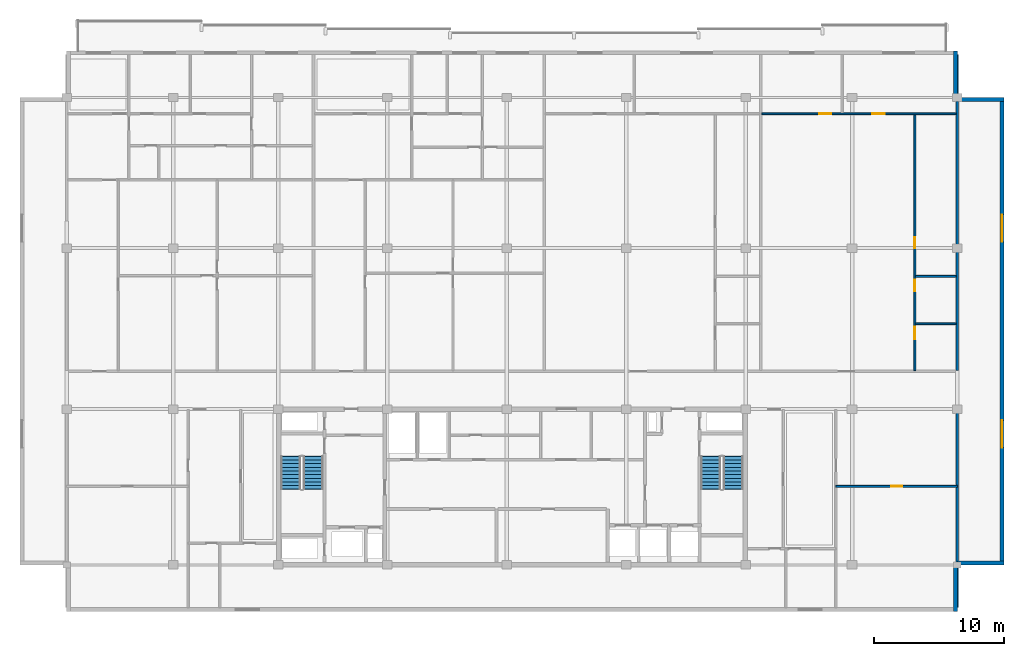
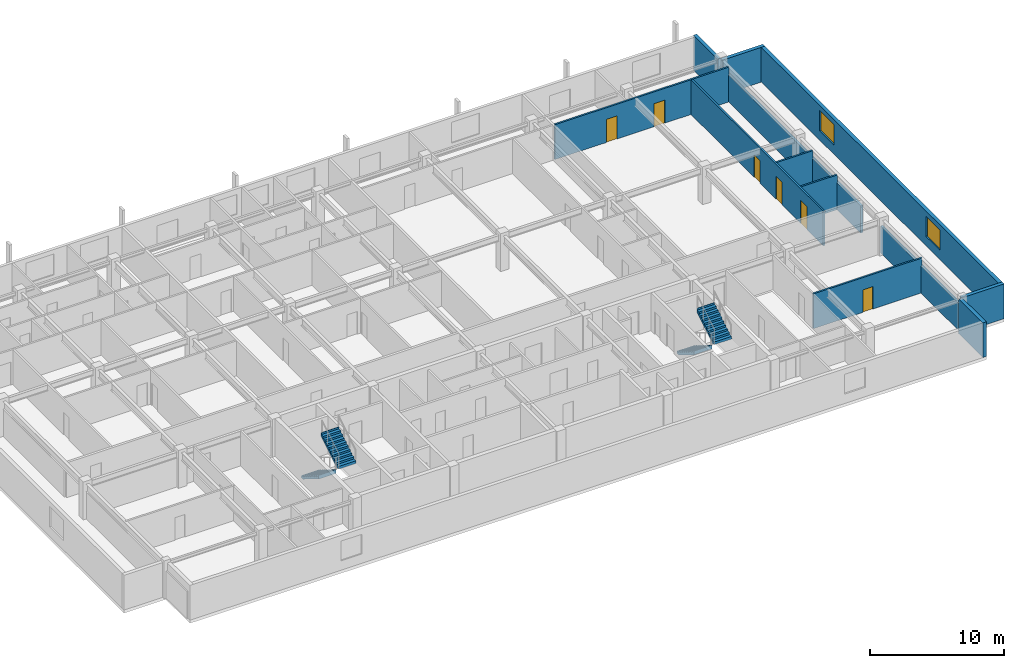
# One storey, part 9 of 11: 12 walls, 6 doors, 4 stair flights, 2 windows, 8 openings, 2 elements without a shape of their own.
"""IFC4 building model written with IfcOpenShell, lengths in metres."""

from ifc_helpers import new_model, si_unit, direction, frame, frame_2d, origin, place, context, subcontext, project, spatial, polyline, rectangle, outline, extrude, material, layer, layer_set, type_object, element, fill, aggregate, save


model = new_model("IFC4")

# Units and contexts
model_context = context("Model", 3, precision=1e-05, world=origin(), true_north=direction((0.0, 1.0)))
body_context = subcontext(model_context, "Body", "Model", "MODEL_VIEW")
ifc_project = project(units=[si_unit("LENGTHUNIT", "METRE"), si_unit("AREAUNIT", "SQUARE_METRE"), si_unit("VOLUMEUNIT", "CUBIC_METRE"), si_unit("PLANEANGLEUNIT", "RADIAN"), si_unit("MASSUNIT", "GRAM", prefix="KILO")], contexts=[model_context])

# Site, building, storey
site_placement = place(None, origin())
site = spatial("IfcSite", under=ifc_project, at=site_placement, CompositionType="ELEMENT")
building_placement = place(site_placement, origin())
building = spatial("IfcBuilding", under=site, at=building_placement, Name="Korimba Cascade Residences", CompositionType="ELEMENT")
storey_placement = place(building_placement, frame((0.0, 0.0, 256.25)))
storey = spatial("IfcBuildingStorey", under=building, at=storey_placement, Name="L74", CompositionType="ELEMENT", Elevation=256.25)

# Walls
ifc_material_1 = material(Name="Precast concrete C40/50", Category="concrete")
ifc_layer_1 = layer(ifc_material_1, 0.300048828125)
ifc_layer_set_1 = layer_set([ifc_layer_1], Name="Precast concrete C40/50")
wall_type_1 = type_object("IfcWallType", Name="EW-STONE-300", PredefinedType="STANDARD", material=ifc_layer_set_1)
wall_1_placement = place(storey_placement, frame((128.25, 51.60009765625, 0.0), z_axis=(0.0, 0.0, 1.0), x_axis=(0.0, 1.0, 0.0)))
element("IfcWall", 1, at=wall_1_placement, inside=storey, type_object=wall_type_1, Name="L74 T1 Perimeter Stone Wall E01", PredefinedType="STANDARD", context=body_context, shape_type="SweptSolid", body=[
    extrude(rectangle(XDim=3.599853515625, YDim=0.300048828125, at=frame_2d((1.7998046875, 0.0))), origin(), (0.0, 0.0, 1.0), 3.169921875),
])
wall_2_placement = place(storey_placement, frame((128.39990234375, 55.35009765625, 0.0), z_axis=(0.0, 0.0, 1.0), x_axis=(1.0, 0.0, 0.0)))
element("IfcWall", 2, at=wall_2_placement, inside=storey, type_object=wall_type_1, Name="L74 T1 Perimeter Stone Wall E02", PredefinedType="STANDARD", context=body_context, shape_type="SweptSolid", body=[
    extrude(rectangle(XDim=3.60009765625, YDim=0.300048828125, at=frame_2d((1.800048828125, 0.0))), origin(), (0.0, 0.0, 1.0), 3.169921875),
])

# Wall, openings, windows
wall_3_placement = place(storey_placement, frame((131.85009765625, 55.199951171875, 0.0), z_axis=(0.0, 0.0, 1.0), x_axis=(0.0, 1.0, 0.0)))
wall_3 = element("IfcWall", 3, at=wall_3_placement, inside=storey, type_object=wall_type_1, Name="L74 T1 Perimeter Stone Wall E03", PredefinedType="STANDARD", context=body_context, shape_type="SweptSolid", body=[
    extrude(rectangle(XDim=36.0, YDim=0.300048828125, at=frame_2d((18.0, 0.0))), origin(), (0.0, 0.0, 1.0), 3.169921875),
])
opening_1_placement = place(wall_3_placement, frame((9.030029296875, 0.0, 0.85009765625)))
opening_1 = element("IfcOpeningElement", 4, at=opening_1_placement, cuts=wall_3, Name="Opening W-03", PredefinedType="OPENING", context=body_context, shape_type="SweptSolid", body=[
    extrude(rectangle(XDim=2.10009765625, YDim=1.85009765625, at=frame_2d((1.050048828125, 0.925048828125))), frame((0.0, 0.16015625, 0.0), z_axis=(0.0, -1.0, 0.0), x_axis=(1.0, 0.0, 0.0)), (0.0, 0.0, 1.0), 0.320068359375),
])
opening_2_placement = place(wall_3_placement, frame((24.8701171875, 0.0, 0.85009765625)))
opening_2 = element("IfcOpeningElement", 5, at=opening_2_placement, cuts=wall_3, Name="Opening W-03", PredefinedType="OPENING", context=body_context, shape_type="SweptSolid", body=[
    extrude(rectangle(XDim=2.10009765625, YDim=1.85009765625, at=frame_2d((1.050048828125, 0.925048828125))), frame((0.0, 0.16015625, 0.0), z_axis=(0.0, -1.0, 0.0), x_axis=(1.0, 0.0, 0.0)), (0.0, 0.0, 1.0), 0.320068359375),
])
ifc_material_2 = material(Name="Double-Glazed Aluminium Window", Category="aluminium")
window_type = type_object("IfcWindowType", Name="WIN-CRN-2100", PartitioningType="DOUBLE_PANEL_HORIZONTAL", PredefinedType="WINDOW", material=ifc_material_2)
window_1_placement = place(opening_1_placement, origin())
window_1 = element("IfcWindow", 6, at=window_1_placement, inside=storey, type_object=window_type, Name="L74 T1 End View Window 3.1", OverallHeight=1.85009765625, OverallWidth=2.10009765625, PartitioningType="DOUBLE_PANEL_HORIZONTAL", PredefinedType="WINDOW", context=body_context, shape_type="SweptSolid", body=[
    extrude(rectangle(XDim=2.10009765625, YDim=1.85009765625, at=frame_2d((1.050048828125, 0.925048828125))), frame((0.0, 0.030029296875, 0.0), z_axis=(0.0, -1.0, 0.0), x_axis=(1.0, 0.0, 0.0)), (0.0, 0.0, 1.0), 0.06005859375),
])
fill(opening_1, window_1)
window_2_placement = place(opening_2_placement, origin())
window_2 = element("IfcWindow", 7, at=window_2_placement, inside=storey, type_object=window_type, Name="L74 T1 End View Window 3.2", OverallHeight=1.85009765625, OverallWidth=2.10009765625, PartitioningType="DOUBLE_PANEL_HORIZONTAL", PredefinedType="WINDOW", context=body_context, shape_type="SweptSolid", body=[
    extrude(rectangle(XDim=2.10009765625, YDim=1.85009765625, at=frame_2d((1.050048828125, 0.925048828125))), frame((0.0, 0.030029296875, 0.0), z_axis=(0.0, -1.0, 0.0), x_axis=(1.0, 0.0, 0.0)), (0.0, 0.0, 1.0), 0.06005859375),
])
fill(opening_2, window_2)

# Walls
for number, where, z_axis, x_axis, name in (
    (8, (132.0, 91.050048828125, 0.0), (0.0, 0.0, 1.0), (-1.0, 0.0, 0.0), "L74 T1 Perimeter Stone Wall E04"),
    (9, (128.25, 91.199951171875, 0.0), (0.0, 0.0, 1.0), (0.0, 1.0, 0.0), "L74 T1 Perimeter Stone Wall E05"),
):
    element("IfcWall", number, at=place(storey_placement, frame(where, z_axis=z_axis, x_axis=x_axis)), inside=storey, type_object=wall_type_1, Name=name, PredefinedType="STANDARD", context=body_context, shape_type="SweptSolid", body=[
        extrude(rectangle(XDim=3.60009765625, YDim=0.300048828125, at=frame_2d((1.800048828125, 0.0))), origin(), (0.0, 0.0, 1.0), 3.169921875),
    ])
ifc_layer_2 = layer(ifc_material_1, 0.199951171875)
ifc_layer_set_2 = layer_set([ifc_layer_2], Name="Precast concrete C40/50")
wall_type_2 = type_object("IfcWallType", Name="WAL-IT-200", PredefinedType="PARTITIONING", material=ifc_layer_set_2)
wall_4_placement = place(storey_placement, frame((128.39990234375, 51.89990234375, 0.0), z_axis=(0.0, 0.0, 1.0), x_axis=(0.0, 1.0, 0.0)))
element("IfcWall", 10, at=wall_4_placement, inside=storey, type_object=wall_type_2, Name="L74 Partition Wall WAL-L74-T1-FE-WR", PredefinedType="PARTITIONING", context=body_context, shape_type="SweptSolid", body=[
    extrude(rectangle(XDim=15.300048828125, YDim=0.199951171875, at=frame_2d((7.64990234375, 0.0))), origin(), (0.0, 0.0, 1.0), 2.47705078125),
])
wall_5_placement = place(storey_placement, frame((128.39990234375, 70.179931640625, 0.0), z_axis=(0.0, 0.0, 1.0), x_axis=(0.0, 1.0, 0.0)))
element("IfcWall", 11, at=wall_5_placement, inside=storey, type_object=wall_type_2, Name="L74 Partition Wall WAL-L74-T1-BNDWR", PredefinedType="PARTITIONING", context=body_context, shape_type="SweptSolid", body=[
    extrude(rectangle(XDim=24.320068359375, YDim=0.199951171875, at=frame_2d((12.16015625, 0.0))), origin(), (0.0, 0.0, 1.0), 2.47705078125),
])

# Wall, opening, door
ifc_material_3 = material(Name="Insulated Acoustic Stud Partition", Category="gypsum")
ifc_layer_3 = layer(ifc_material_3, 0.14990234375)
ifc_layer_set_3 = layer_set([ifc_layer_3], Name="Insulated Acoustic Stud Partition")
wall_type_3 = type_object("IfcWallType", Name="WAL-PART-150", PredefinedType="PARTITIONING", material=ifc_layer_set_3)
wall_6_placement = place(storey_placement, frame((119.050048828125, 61.25, 0.0), z_axis=(0.0, 0.0, 1.0), x_axis=(1.0, 0.0, 0.0)))
wall_6 = element("IfcWall", 12, at=wall_6_placement, inside=storey, type_object=wall_type_3, Name="L74 Partition Wall WAL-L74-T1-FE-STH", PredefinedType="PARTITIONING", context=body_context, shape_type="SweptSolid", body=[
    extrude(rectangle(XDim=9.349853515625, YDim=0.14990234375, at=frame_2d((4.6748046875, 0.0))), origin(), (0.0, 0.0, 1.0), 3.169921875),
])
opening_3_placement = place(wall_6_placement, frame((4.2548828125, 0.0, 0.0)))
opening_3 = element("IfcOpeningElement", 13, at=opening_3_placement, cuts=wall_6, Name="Opening D-BT1", PredefinedType="OPENING", context=body_context, shape_type="SweptSolid", body=[
    extrude(rectangle(XDim=0.840087890625, YDim=2.0400390625, at=frame_2d((0.419921875, 1.02001953125))), frame((0.0, 0.0849609375, 0.0), z_axis=(0.0, -1.0, 0.0), x_axis=(1.0, 0.0, 0.0)), (0.0, 0.0, 1.0), 0.169921875),
])
ifc_material_4 = material(Name="Moisture-Resistant Bathroom Timber Door", Category="wood")
door_type_1 = type_object("IfcDoorType", Name="DR-INT-850", OperationType="NOTDEFINED", PredefinedType="DOOR", material=ifc_material_4)
door_1_placement = place(opening_3_placement, origin())
door_1 = element("IfcDoor", 14, at=door_1_placement, inside=storey, type_object=door_type_1, Name="L74-T1-FE Dressing Store Door", OperationType="SINGLE_SWING_LEFT", OverallHeight=2.0400390625, OverallWidth=0.840087890625, PredefinedType="DOOR", context=body_context, shape_type="SweptSolid", body=[
    extrude(rectangle(XDim=0.840087890625, YDim=2.0400390625, at=frame_2d((0.419921875, 1.02001953125))), frame((0.0, 0.02490234375, 0.0), z_axis=(0.0, -1.0, 0.0), x_axis=(1.0, 0.0, 0.0)), (0.0, 0.0, 1.0), 0.050048828125),
])
fill(opening_3, door_1)

# Walls
for number, where, z_axis, x_axis, name in (
    (15, (125.18994140625, 73.77001953125, 0.0), (0.0, 0.0, 1.0), (1.0, 0.0, 0.0), "L74 Partition Wall WAL-L74-T1-U04-WCH"),
    (16, (125.18994140625, 77.419921875, 0.0), (0.0, 0.0, 1.0), (1.0, 0.0, 0.0), "L74 Partition Wall WAL-L74-T1-U04-WCH2"),
):
    element("IfcWall", number, at=place(storey_placement, frame(where, z_axis=z_axis, x_axis=x_axis)), inside=storey, type_object=wall_type_3, Name=name, PredefinedType="PARTITIONING", context=body_context, shape_type="SweptSolid", body=[
        extrude(rectangle(XDim=3.130126953125, YDim=0.14990234375, at=frame_2d((1.56494140625, 0.0))), origin(), (0.0, 0.0, 1.0), 3.169921875),
    ])

# Wall, openings, doors
wall_7_placement = place(storey_placement, frame((125.1298828125, 70.159912109375, 0.0), z_axis=(0.0, 0.0, 1.0), x_axis=(0.0, 1.0, 0.0)))
wall_7 = element("IfcWall", 17, at=wall_7_placement, inside=storey, type_object=wall_type_3, Name="L74 Partition Wall WAL-L74-T1-U04-WCV", PredefinedType="PARTITIONING", context=body_context, shape_type="SweptSolid", body=[
    extrude(rectangle(XDim=19.72998046875, YDim=0.14990234375, at=frame_2d((9.864990234375, 0.0))), origin(), (0.0, 0.0, 1.0), 3.169921875),
])
opening_4_placement = place(wall_7_placement, frame((2.406005859375, 0.0, 0.0)))
opening_4 = element("IfcOpeningElement", 18, at=opening_4_placement, cuts=wall_7, Name="Opening D-AC1", PredefinedType="OPENING", context=body_context, shape_type="SweptSolid", body=[
    extrude(rectangle(XDim=0.9599609375, YDim=2.10009765625, at=frame_2d((0.47998046875, 1.050048828125))), frame((0.0, 0.0849609375, 0.0), z_axis=(0.0, -1.0, 0.0), x_axis=(1.0, 0.0, 0.0)), (0.0, 0.0, 1.0), 0.169921875),
])
opening_5_placement = place(wall_7_placement, frame((6.132568359375, 0.0, 0.0)))
opening_5 = element("IfcOpeningElement", 19, at=opening_5_placement, cuts=wall_7, Name="Opening D-IN2", PredefinedType="OPENING", context=body_context, shape_type="SweptSolid", body=[
    extrude(rectangle(XDim=0.8798828125, YDim=2.06005859375, at=frame_2d((0.43994140625, 1.030029296875))), frame((0.0, 0.0849609375, 0.0), z_axis=(0.0, -1.0, 0.0), x_axis=(1.0, 0.0, 0.0)), (0.0, 0.0, 1.0), 0.169921875),
])
opening_6_placement = place(wall_7_placement, frame((9.445068359375, 0.0, 0.0)))
opening_6 = element("IfcOpeningElement", 20, at=opening_6_placement, cuts=wall_7, Name="Opening D-BT1", PredefinedType="OPENING", context=body_context, shape_type="SweptSolid", body=[
    extrude(rectangle(XDim=0.840087890625, YDim=2.0400390625, at=frame_2d((0.419921875, 1.02001953125))), frame((0.0, 0.0849609375, 0.0), z_axis=(0.0, -1.0, 0.0), x_axis=(1.0, 0.0, 0.0)), (0.0, 0.0, 1.0), 0.169921875),
])
ifc_material_5 = material(Name="Accessible Acoustic Timber WC Door", Category="wood")
door_type_2 = type_object("IfcDoorType", Name="DR-ACC-950", OperationType="NOTDEFINED", PredefinedType="DOOR", material=ifc_material_5)
door_2_placement = place(opening_4_placement, origin())
door_2 = element("IfcDoor", 21, at=door_2_placement, inside=storey, type_object=door_type_2, Name="L74-T1-U04 Accessible WC Door", OperationType="SINGLE_SWING_LEFT", OverallHeight=2.10009765625, OverallWidth=0.9599609375, PredefinedType="DOOR", context=body_context, shape_type="SweptSolid", body=[
    extrude(rectangle(XDim=0.9599609375, YDim=2.10009765625, at=frame_2d((0.47998046875, 1.050048828125))), frame((0.0, 0.02490234375, 0.0), z_axis=(0.0, -1.0, 0.0), x_axis=(1.0, 0.0, 0.0)), (0.0, 0.0, 1.0), 0.050048828125),
])
fill(opening_4, door_2)
door_3_placement = place(opening_6_placement, origin())
door_3 = element("IfcDoor", 22, at=door_3_placement, inside=storey, type_object=door_type_1, Name="L74-T1-U04 Suite Store Door", OperationType="SINGLE_SWING_LEFT", OverallHeight=2.0400390625, OverallWidth=0.840087890625, PredefinedType="DOOR", context=body_context, shape_type="SweptSolid", body=[
    extrude(rectangle(XDim=0.840087890625, YDim=2.0400390625, at=frame_2d((0.419921875, 1.02001953125))), frame((0.0, 0.02490234375, 0.0), z_axis=(0.0, -1.0, 0.0), x_axis=(1.0, 0.0, 0.0)), (0.0, 0.0, 1.0), 0.050048828125),
])
fill(opening_6, door_3)
ifc_material_6 = material(Name="Acoustic Timber Bedroom Door", Category="wood")
door_type_3 = type_object("IfcDoorType", Name="DR-INT-880", OperationType="NOTDEFINED", PredefinedType="DOOR", material=ifc_material_6)
door_4_placement = place(opening_5_placement, origin())
door_4 = element("IfcDoor", 23, at=door_4_placement, inside=storey, type_object=door_type_3, Name="L74-T1-U04 Restroom WC Door", OperationType="SINGLE_SWING_RIGHT", OverallHeight=2.06005859375, OverallWidth=0.8798828125, PredefinedType="DOOR", context=body_context, shape_type="SweptSolid", body=[
    extrude(rectangle(XDim=0.8798828125, YDim=2.06005859375, at=frame_2d((0.43994140625, 1.030029296875))), frame((0.0, 0.02490234375, 0.0), z_axis=(0.0, -1.0, 0.0), x_axis=(1.0, 0.0, 0.0)), (0.0, 0.0, 1.0), 0.050048828125),
])
fill(opening_5, door_4)

wall_8_placement = place(storey_placement, frame((113.339111328125, 89.949951171875, 0.0), z_axis=(0.0, 0.0, 1.0), x_axis=(1.0, 0.0, 0.0)))
wall_8 = element("IfcWall", 24, at=wall_8_placement, inside=storey, type_object=wall_type_3, Name="L74 Partition Wall WAL-L74-T1-U04-HZ", PredefinedType="PARTITIONING", context=body_context, shape_type="SweptSolid", body=[
    extrude(rectangle(XDim=14.98095703125, YDim=0.14990234375, at=frame_2d((7.490478515625, 0.0))), origin(), (0.0, 0.0, 1.0), 3.169921875),
])
opening_7_placement = place(wall_8_placement, frame((4.426025390625, 0.0, 0.0)))
opening_7 = element("IfcOpeningElement", 25, at=opening_7_placement, cuts=wall_8, Name="Opening D-IN0", PredefinedType="OPENING", context=body_context, shape_type="SweptSolid", body=[
    extrude(rectangle(XDim=0.93994140625, YDim=2.10009765625, at=frame_2d((0.469970703125, 1.050048828125))), frame((0.0, 0.0849609375, 0.0), z_axis=(0.0, -1.0, 0.0), x_axis=(1.0, 0.0, 0.0)), (0.0, 0.0, 1.0), 0.169921875),
])
opening_8_placement = place(wall_8_placement, frame((8.518310546875, 0.0, 0.0)))
opening_8 = element("IfcOpeningElement", 26, at=opening_8_placement, cuts=wall_8, Name="Opening D-IN0", PredefinedType="OPENING", context=body_context, shape_type="SweptSolid", body=[
    extrude(rectangle(XDim=0.93994140625, YDim=2.10009765625, at=frame_2d((0.469970703125, 1.050048828125))), frame((0.0, 0.0849609375, 0.0), z_axis=(0.0, -1.0, 0.0), x_axis=(1.0, 0.0, 0.0)), (0.0, 0.0, 1.0), 0.169921875),
])
ifc_material_7 = material(Name="Acoustic Timber Living Archway Door", Category="wood")
door_type_4 = type_object("IfcDoorType", Name="DR-INT-950", OperationType="NOTDEFINED", PredefinedType="DOOR", material=ifc_material_7)
door_5_placement = place(opening_7_placement, origin())
door_5 = element("IfcDoor", 27, at=door_5_placement, inside=storey, type_object=door_type_4, Name="L74-T1-U04 Executive Co-Working Office Door", OperationType="SINGLE_SWING_RIGHT", OverallHeight=2.10009765625, OverallWidth=0.93994140625, PredefinedType="DOOR", context=body_context, shape_type="SweptSolid", body=[
    extrude(rectangle(XDim=0.93994140625, YDim=2.10009765625, at=frame_2d((0.469970703125, 1.050048828125))), frame((0.0, 0.02490234375, 0.0), z_axis=(0.0, -1.0, 0.0), x_axis=(1.0, 0.0, 0.0)), (0.0, 0.0, 1.0), 0.050048828125),
])
fill(opening_7, door_5)
door_6_placement = place(opening_8_placement, origin())
door_6 = element("IfcDoor", 28, at=door_6_placement, inside=storey, type_object=door_type_4, Name="L74-T1-U04 Focus Workstation Office Door", OperationType="SINGLE_SWING_LEFT", OverallHeight=2.10009765625, OverallWidth=0.93994140625, PredefinedType="DOOR", context=body_context, shape_type="SweptSolid", body=[
    extrude(rectangle(XDim=0.93994140625, YDim=2.10009765625, at=frame_2d((0.469970703125, 1.050048828125))), frame((0.0, 0.02490234375, 0.0), z_axis=(0.0, -1.0, 0.0), x_axis=(1.0, 0.0, 0.0)), (0.0, 0.0, 1.0), 0.050048828125),
])
fill(opening_8, door_6)

# Stair, stair flights
ifc_material_8 = material(Name="Concrete C50/60", Category="concrete")
stair_type_1 = type_object("IfcStairType", Name="STR-W1-20R-1725", PredefinedType="HALF_TURN_STAIR", material=ifc_material_8)
stair_1_placement = place(storey_placement, origin())
stair_1 = element("IfcStair", 29, at=stair_1_placement, inside=storey, type_object=stair_type_1, Name="L74 Tower 1 West Fire Stair ST-W1", PredefinedType="HALF_TURN_STAIR")
stair_flight_type = type_object("IfcStairFlightType", Name="STF-DL-20R-1725-1520", PredefinedType="STRAIGHT", material=ifc_material_8)
stair_flight_1_placement = place(storey_placement, frame((77.06005859375, 63.550048828125, 0.0), z_axis=(0.0, 0.0, 1.0), x_axis=(0.0, -1.0, 0.0)))
stair_flight_1 = element("IfcStairFlight", 30, at=stair_flight_1_placement, type_object=stair_flight_type, Name="ST-W1 flight 1", NumberOfRisers=10, NumberOfTreads=9, PredefinedType="STRAIGHT", RiserHeight=0.1725, TreadLength=0.28, context=body_context, shape_type="SweptSolid", body=[
    extrude(outline(polyline([(-0.0380859375, 0.0), (0.0, 0.172607421875), (0.280029296875, 0.172607421875), (0.280029296875, 0.344970703125), (0.56005859375, 0.344970703125), (0.56005859375, 0.517578125), (0.840087890625, 0.517578125), (0.840087890625, 0.68994140625), (1.1201171875, 0.68994140625), (1.1201171875, 0.862548828125), (1.39990234375, 0.862548828125), (1.39990234375, 1.034912109375), (1.679931640625, 1.034912109375), (1.679931640625, 1.20751953125), (1.9599609375, 1.20751953125), (1.9599609375, 1.3798828125), (2.239990234375, 1.3798828125), (2.239990234375, 1.552490234375), (2.52001953125, 1.552490234375), (2.52001953125, 1.72509765625), (2.55810546875, 1.72509765625), (2.55810546875, 1.37646484375), (0.285888671875, 0.0), (0.285888671875, -0.0380859375), (-0.0380859375, -0.0380859375), (-0.0380859375, 0.0)])), frame((0.0, 0.760009765625, 0.0), z_axis=(0.0, -1.0, 0.0), x_axis=(1.0, 0.0, 0.0)), (0.0, 0.0, 1.0), 1.52001953125),
])
stair_flight_2_placement = place(storey_placement, frame((78.780029296875, 61.030029296875, 1.72509765625), z_axis=(0.0, 0.0, 1.0), x_axis=(0.0, 1.0, 0.0)))
stair_flight_2 = element("IfcStairFlight", 31, at=stair_flight_2_placement, type_object=stair_flight_type, Name="ST-W1 flight 2", NumberOfRisers=10, NumberOfTreads=9, PredefinedType="STRAIGHT", RiserHeight=0.1725, TreadLength=0.28, context=body_context, shape_type="SweptSolid", body=[
    extrude(outline(polyline([(-0.0380859375, 0.0), (0.0, 0.172607421875), (0.280029296875, 0.172607421875), (0.280029296875, 0.344970703125), (0.56005859375, 0.344970703125), (0.56005859375, 0.517578125), (0.840087890625, 0.517578125), (0.840087890625, 0.68994140625), (1.1201171875, 0.68994140625), (1.1201171875, 0.862548828125), (1.39990234375, 0.862548828125), (1.39990234375, 1.034912109375), (1.679931640625, 1.034912109375), (1.679931640625, 1.20751953125), (1.9599609375, 1.20751953125), (1.9599609375, 1.3798828125), (2.239990234375, 1.3798828125), (2.239990234375, 1.552490234375), (2.52001953125, 1.552490234375), (2.52001953125, 1.72509765625), (2.55810546875, 1.72509765625), (2.55810546875, 1.37646484375), (0.285888671875, 0.0), (0.285888671875, -0.0380859375), (-0.0380859375, -0.0380859375), (-0.0380859375, 0.0)])), frame((0.0, 0.760009765625, 0.0), z_axis=(0.0, -1.0, 0.0), x_axis=(1.0, 0.0, 0.0)), (0.0, 0.0, 1.0), 1.52001953125),
])
aggregate(stair_1, [stair_flight_1, stair_flight_2])

stair_type_2 = type_object("IfcStairType", Name="STR-W2-20R-1725", PredefinedType="HALF_TURN_STAIR", material=ifc_material_8)
stair_2_placement = place(storey_placement, origin())
stair_2 = element("IfcStair", 32, at=stair_2_placement, inside=storey, type_object=stair_type_2, Name="L74 Tower 1 East Fire Stair ST-W2", PredefinedType="HALF_TURN_STAIR")
stair_flight_3_placement = place(storey_placement, frame((109.419921875, 63.550048828125, 0.0), z_axis=(0.0, 0.0, 1.0), x_axis=(0.0, -1.0, 0.0)))
stair_flight_3 = element("IfcStairFlight", 33, at=stair_flight_3_placement, type_object=stair_flight_type, Name="ST-W2 flight 1", NumberOfRisers=10, NumberOfTreads=9, PredefinedType="STRAIGHT", RiserHeight=0.1725, TreadLength=0.28, context=body_context, shape_type="SweptSolid", body=[
    extrude(outline(polyline([(-0.0380859375, 0.0), (0.0, 0.172607421875), (0.280029296875, 0.172607421875), (0.280029296875, 0.344970703125), (0.56005859375, 0.344970703125), (0.56005859375, 0.517578125), (0.840087890625, 0.517578125), (0.840087890625, 0.68994140625), (1.1201171875, 0.68994140625), (1.1201171875, 0.862548828125), (1.39990234375, 0.862548828125), (1.39990234375, 1.034912109375), (1.679931640625, 1.034912109375), (1.679931640625, 1.20751953125), (1.9599609375, 1.20751953125), (1.9599609375, 1.3798828125), (2.239990234375, 1.3798828125), (2.239990234375, 1.552490234375), (2.52001953125, 1.552490234375), (2.52001953125, 1.72509765625), (2.55810546875, 1.72509765625), (2.55810546875, 1.37646484375), (0.285888671875, 0.0), (0.285888671875, -0.0380859375), (-0.0380859375, -0.0380859375), (-0.0380859375, 0.0)])), frame((0.0, 0.760009765625, 0.0), z_axis=(0.0, -1.0, 0.0), x_axis=(1.0, 0.0, 0.0)), (0.0, 0.0, 1.0), 1.52001953125),
])
stair_flight_4_placement = place(storey_placement, frame((111.139892578125, 61.030029296875, 1.72509765625), z_axis=(0.0, 0.0, 1.0), x_axis=(0.0, 1.0, 0.0)))
stair_flight_4 = element("IfcStairFlight", 34, at=stair_flight_4_placement, type_object=stair_flight_type, Name="ST-W2 flight 2", NumberOfRisers=10, NumberOfTreads=9, PredefinedType="STRAIGHT", RiserHeight=0.1725, TreadLength=0.28, context=body_context, shape_type="SweptSolid", body=[
    extrude(outline(polyline([(-0.0380859375, 0.0), (0.0, 0.172607421875), (0.280029296875, 0.172607421875), (0.280029296875, 0.344970703125), (0.56005859375, 0.344970703125), (0.56005859375, 0.517578125), (0.840087890625, 0.517578125), (0.840087890625, 0.68994140625), (1.1201171875, 0.68994140625), (1.1201171875, 0.862548828125), (1.39990234375, 0.862548828125), (1.39990234375, 1.034912109375), (1.679931640625, 1.034912109375), (1.679931640625, 1.20751953125), (1.9599609375, 1.20751953125), (1.9599609375, 1.3798828125), (2.239990234375, 1.3798828125), (2.239990234375, 1.552490234375), (2.52001953125, 1.552490234375), (2.52001953125, 1.72509765625), (2.55810546875, 1.72509765625), (2.55810546875, 1.37646484375), (0.285888671875, 0.0), (0.285888671875, -0.0380859375), (-0.0380859375, -0.0380859375), (-0.0380859375, 0.0)])), frame((0.0, 0.760009765625, 0.0), z_axis=(0.0, -1.0, 0.0), x_axis=(1.0, 0.0, 0.0)), (0.0, 0.0, 1.0), 1.52001953125),
])
aggregate(stair_2, [stair_flight_3, stair_flight_4])

save(model, "model.ifc")
